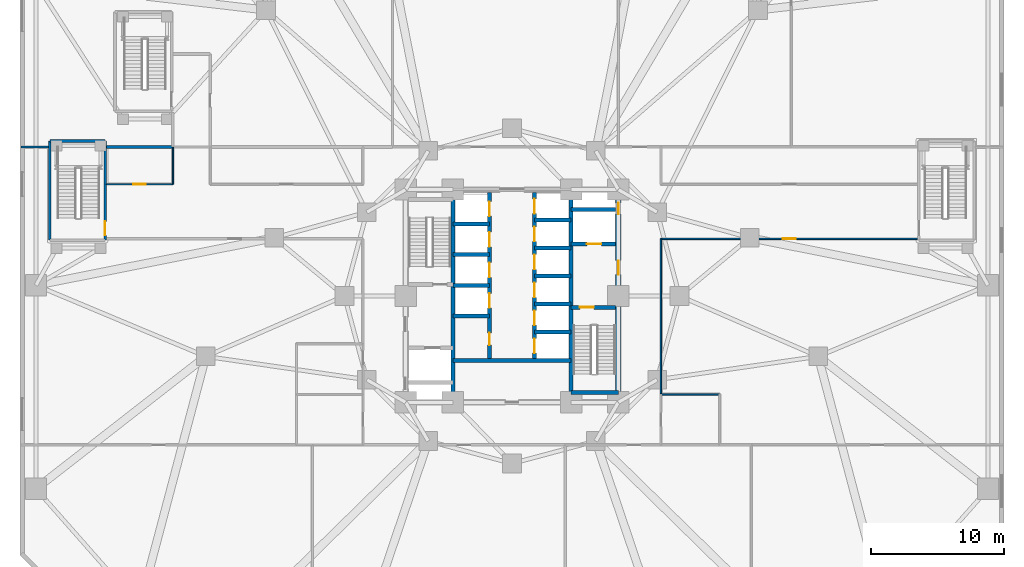
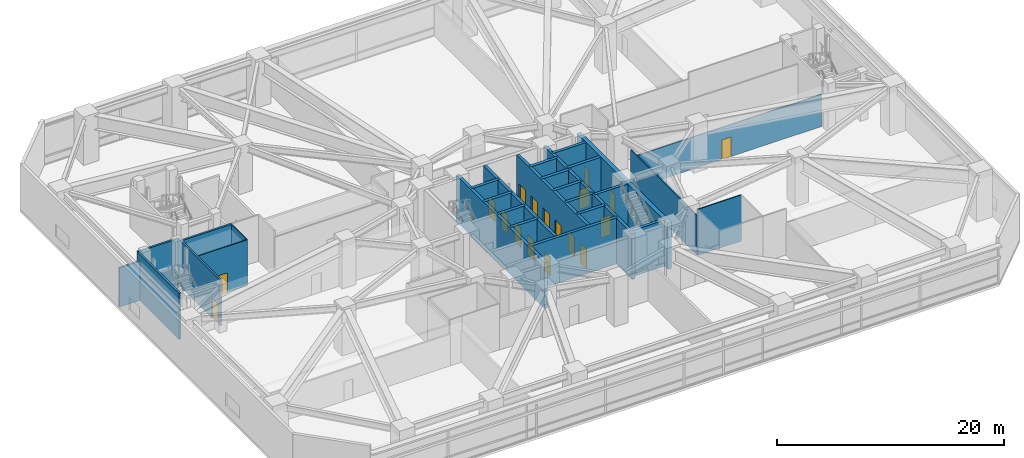
# One storey, part 16 of 28: 29 walls, 18 doors, 18 openings.
"""IFC4 building model written with IfcOpenShell, lengths in metres."""

from ifc_helpers import new_model, si_unit, direction, frame, frame_2d, origin, place, context, subcontext, project, spatial, rectangle, extrude, material, layer, layer_set, type_object, element, fill, save


model = new_model("IFC4")

# Units and contexts
model_context = context("Model", 3, precision=1e-05, world=origin(), true_north=direction((0.0, 1.0)))
body_context = subcontext(model_context, "Body", "Model", "MODEL_VIEW")
ifc_project = project(units=[si_unit("LENGTHUNIT", "METRE"), si_unit("AREAUNIT", "SQUARE_METRE"), si_unit("VOLUMEUNIT", "CUBIC_METRE"), si_unit("PLANEANGLEUNIT", "RADIAN"), si_unit("MASSUNIT", "GRAM", prefix="KILO")], contexts=[model_context])

# Site, building, storey
site_placement = place(None, origin())
site = spatial("IfcSite", under=ifc_project, at=site_placement, CompositionType="ELEMENT")
building_placement = place(site_placement, origin())
building = spatial("IfcBuilding", under=site, at=building_placement, Name="Terralouvre Media Tower", CompositionType="ELEMENT")
storey_placement = place(building_placement, frame((0.0, 0.0, 10.39990234375)))
storey = spatial("IfcBuildingStorey", under=building, at=storey_placement, Name="L02", CompositionType="ELEMENT", Elevation=10.39990234375)

# Walls
ifc_material_1 = material(Name="Concrete C50/60", Category="concrete")
ifc_layer_1 = layer(ifc_material_1, 0.300048828125, Name="Core Internal Shaft Wall CW-300")
ifc_layer_set_1 = layer_set([ifc_layer_1], Name="Concrete C50/60")
wall_type_1 = type_object("IfcWallType", Name="Core Internal Shaft Wall CW-300", PredefinedType="SHEAR", material=ifc_layer_set_1)
for number, where, z_axis, x_axis, name in (
    (1, (-4.449951171875, -7.7900390625, 0.0), (0.0, 0.0, 1.0), (0.0, 1.0, 0.0), "L02 Core Shaft Wall SPW"),
    (2, (4.449951171875, -7.7900390625, 0.0), (0.0, 0.0, 1.0), (0.0, 1.0, 0.0), "L02 Core Shaft Wall SPE"),
):
    element("IfcWall", number, at=place(storey_placement, frame(where, z_axis=z_axis, x_axis=x_axis)), inside=storey, type_object=wall_type_1, Name=name, PredefinedType="SHEAR", context=body_context, shape_type="SweptSolid", body=[
        extrude(rectangle(XDim=15.580078125, YDim=0.300048828125, at=frame_2d((7.7900390625, 0.0))), origin(), (0.0, 0.0, 1.0), 4.9501953125),
    ])

# Wall, opening, door
wall_1_placement = place(storey_placement, frame((4.449951171875, -0.85009765625, 0.0), z_axis=(0.0, 0.0, 1.0), x_axis=(1.0, 0.0, 0.0)))
wall_1 = element("IfcWall", 3, at=wall_1_placement, inside=storey, type_object=wall_type_1, Name="L02 Core Shaft Wall ST2D", PredefinedType="SHEAR", context=body_context, shape_type="SweptSolid", body=[
    extrude(rectangle(XDim=3.340087890625, YDim=0.300048828125, at=frame_2d((1.669921875, 0.0))), origin(), (0.0, 0.0, 1.0), 4.9501953125),
])
opening_1_placement = place(wall_1_placement, frame((0.64990234375, 0.0, 0.0)))
opening_1 = element("IfcOpeningElement", 4, at=opening_1_placement, cuts=wall_1, Name="Opening FD-01-105X215", PredefinedType="OPENING", context=body_context, shape_type="SweptSolid", body=[
    extrude(rectangle(XDim=1.050048828125, YDim=2.14990234375, at=frame_2d((0.52490234375, 1.074951171875))), frame((0.0, 0.159912109375, 0.0), z_axis=(0.0, -1.0, 0.0), x_axis=(1.0, 0.0, 0.0)), (0.0, 0.0, 1.0), 0.320068359375),
])
ifc_material_2 = material(Name="Galvanised steel fire-resisting leaf", Category="steel")
door_type_1 = type_object("IfcDoorType", Name="Stair and Firefighting Lobby Fire Door FD-01 (1050x2150)", OperationType="NOTDEFINED", PredefinedType="DOOR", material=ifc_material_2)
door_1_placement = place(opening_1_placement, origin())
door_1 = element("IfcDoor", 5, at=door_1_placement, inside=storey, type_object=door_type_1, Name="L02 ST-02 Exit Stair Door", OperationType="SINGLE_SWING_RIGHT", OverallHeight=2.14990234375, OverallWidth=1.050048828125, PredefinedType="DOOR", context=body_context, shape_type="SweptSolid", body=[
    extrude(rectangle(XDim=1.050048828125, YDim=2.14990234375, at=frame_2d((0.52490234375, 1.074951171875))), frame((0.0, 0.02490234375, 0.0), z_axis=(0.0, -1.0, 0.0), x_axis=(1.0, 0.0, 0.0)), (0.0, 0.0, 1.0), 0.050048828125),
])
fill(opening_1, door_1)

# Wall
wall_2_placement = place(storey_placement, frame((4.449951171875, -7.260009765625, 0.0), z_axis=(0.0, 0.0, 1.0), x_axis=(1.0, 0.0, 0.0)))
element("IfcWall", 6, at=wall_2_placement, inside=storey, type_object=wall_type_1, Name="L02 Core Shaft Wall ST2F", PredefinedType="SHEAR", context=body_context, shape_type="SweptSolid", body=[
    extrude(rectangle(XDim=3.550048828125, YDim=0.300048828125, at=frame_2d((1.77490234375, 0.0))), origin(), (0.0, 0.0, 1.0), 4.9501953125),
])

# Wall, opening, door
wall_3_placement = place(storey_placement, frame((4.449951171875, 3.89990234375, 0.0), z_axis=(0.0, 0.0, 1.0), x_axis=(1.0, 0.0, 0.0)))
wall_3 = element("IfcWall", 7, at=wall_3_placement, inside=storey, type_object=wall_type_1, Name="L02 Core Shaft Wall FF2S", PredefinedType="SHEAR", context=body_context, shape_type="SweptSolid", body=[
    extrude(rectangle(XDim=3.340087890625, YDim=0.300048828125, at=frame_2d((1.669921875, 0.0))), origin(), (0.0, 0.0, 1.0), 4.9501953125),
])
opening_2_placement = place(wall_3_placement, frame((1.179931640625, 0.0, 0.0)))
opening_2 = element("IfcOpeningElement", 8, at=opening_2_placement, cuts=wall_3, Name="Opening LD-FF", PredefinedType="OPENING", context=body_context, shape_type="SweptSolid", body=[
    extrude(rectangle(XDim=1.10009765625, YDim=2.10009765625, at=frame_2d((0.550048828125, 1.050048828125))), frame((0.0, 0.159912109375, 0.0), z_axis=(0.0, -1.0, 0.0), x_axis=(1.0, 0.0, 0.0)), (0.0, 0.0, 1.0), 0.320068359375),
])
ifc_material_3 = material(Name="Stainless steel 316 handrail and balustrade", Category="steel")
door_type_2 = type_object("IfcDoorType", Name="Firefighting Lift Sliding Landing Door LD-FF", OperationType="SLIDING_TO_LEFT", PredefinedType="DOOR", material=ifc_material_3)
door_2_placement = place(opening_2_placement, origin())
door_2 = element("IfcDoor", 9, at=door_2_placement, inside=storey, type_object=door_type_2, Name="L02 Firefighting Lift FFL-02 Landing Door", OperationType="SLIDING_TO_LEFT", OverallHeight=2.10009765625, OverallWidth=1.10009765625, PredefinedType="DOOR", context=body_context, shape_type="SweptSolid", body=[
    extrude(rectangle(XDim=1.10009765625, YDim=2.10009765625, at=frame_2d((0.550048828125, 1.050048828125))), frame((0.0, 0.02490234375, 0.0), z_axis=(0.0, -1.0, 0.0), x_axis=(1.0, 0.0, 0.0)), (0.0, 0.0, 1.0), 0.050048828125),
])
fill(opening_2, door_2)

# Walls
wall_4_placement = place(storey_placement, frame((4.449951171875, 6.5, 0.0), z_axis=(0.0, 0.0, 1.0), x_axis=(1.0, 0.0, 0.0)))
element("IfcWall", 10, at=wall_4_placement, inside=storey, type_object=wall_type_1, Name="L02 Core Shaft Wall FF2N", PredefinedType="SHEAR", context=body_context, shape_type="SweptSolid", body=[
    extrude(rectangle(XDim=3.340087890625, YDim=0.300048828125, at=frame_2d((1.669921875, 0.0))), origin(), (0.0, 0.0, 1.0), 4.9501953125),
])
wall_5_placement = place(storey_placement, frame((-4.449951171875, -4.85009765625, 0.0), z_axis=(0.0, 0.0, 1.0), x_axis=(1.0, 0.0, 0.0)))
element("IfcWall", 11, at=wall_5_placement, inside=storey, type_object=wall_type_1, Name="L02 Core Shaft Wall CSBN", PredefinedType="SHEAR", context=body_context, shape_type="SweptSolid", body=[
    extrude(rectangle(XDim=8.89990234375, YDim=0.300048828125, at=frame_2d((4.449951171875, 0.0))), origin(), (0.0, 0.0, 1.0), 4.9501953125),
])

# Wall, openings, doors
wall_6_placement = place(storey_placement, frame((-1.679931640625, -4.85009765625, 0.0), z_axis=(0.0, 0.0, 1.0), x_axis=(0.0, 1.0, 0.0)))
wall_6 = element("IfcWall", 12, at=wall_6_placement, inside=storey, type_object=wall_type_1, Name="L02 Core Shaft Wall LBW", PredefinedType="SHEAR", context=body_context, shape_type="SweptSolid", body=[
    extrude(rectangle(XDim=12.64013671875, YDim=0.300048828125, at=frame_2d((6.320068359375, 0.0))), origin(), (0.0, 0.0, 1.0), 4.9501953125),
])
opening_3_placement = place(wall_6_placement, frame((3.949951171875, 0.0, 0.0)))
opening_3 = element("IfcOpeningElement", 13, at=opening_3_placement, cuts=wall_6, Name="Opening LD-PL", PredefinedType="OPENING", context=body_context, shape_type="SweptSolid", body=[
    extrude(rectangle(XDim=1.10009765625, YDim=2.10009765625, at=frame_2d((0.550048828125, 1.050048828125))), frame((0.0, 0.159912109375, 0.0), z_axis=(0.0, -1.0, 0.0), x_axis=(1.0, 0.0, 0.0)), (0.0, 0.0, 1.0), 0.320068359375),
])
opening_4_placement = place(wall_6_placement, frame((6.25, 0.0, 0.0)))
opening_4 = element("IfcOpeningElement", 14, at=opening_4_placement, cuts=wall_6, Name="Opening LD-PL", PredefinedType="OPENING", context=body_context, shape_type="SweptSolid", body=[
    extrude(rectangle(XDim=1.10009765625, YDim=2.10009765625, at=frame_2d((0.550048828125, 1.050048828125))), frame((0.0, 0.159912109375, 0.0), z_axis=(0.0, -1.0, 0.0), x_axis=(1.0, 0.0, 0.0)), (0.0, 0.0, 1.0), 0.320068359375),
])
opening_5_placement = place(wall_6_placement, frame((8.550048828125, 0.0, 0.0)))
opening_5 = element("IfcOpeningElement", 15, at=opening_5_placement, cuts=wall_6, Name="Opening LD-PL", PredefinedType="OPENING", context=body_context, shape_type="SweptSolid", body=[
    extrude(rectangle(XDim=1.10009765625, YDim=2.10009765625, at=frame_2d((0.550048828125, 1.050048828125))), frame((0.0, 0.159912109375, 0.0), z_axis=(0.0, -1.0, 0.0), x_axis=(1.0, 0.0, 0.0)), (0.0, 0.0, 1.0), 0.320068359375),
])
opening_6_placement = place(wall_6_placement, frame((10.85009765625, 0.0, 0.0)))
opening_6 = element("IfcOpeningElement", 16, at=opening_6_placement, cuts=wall_6, Name="Opening LD-PL", PredefinedType="OPENING", context=body_context, shape_type="SweptSolid", body=[
    extrude(rectangle(XDim=1.10009765625, YDim=2.10009765625, at=frame_2d((0.550048828125, 1.050048828125))), frame((0.0, 0.159912109375, 0.0), z_axis=(0.0, -1.0, 0.0), x_axis=(1.0, 0.0, 0.0)), (0.0, 0.0, 1.0), 0.320068359375),
])
opening_7_placement = place(wall_6_placement, frame((1.14990234375, 0.0, 0.0)))
opening_7 = element("IfcOpeningElement", 17, at=opening_7_placement, cuts=wall_6, Name="Opening FD-05-92X210", PredefinedType="OPENING", context=body_context, shape_type="SweptSolid", body=[
    extrude(rectangle(XDim=0.919921875, YDim=2.10009765625, at=frame_2d((0.4599609375, 1.050048828125))), frame((0.0, 0.159912109375, 0.0), z_axis=(0.0, -1.0, 0.0), x_axis=(1.0, 0.0, 0.0)), (0.0, 0.0, 1.0), 0.320068359375),
])
ifc_material_4 = material(Name="Galvanised steel fire-resisting leaf", Category="steel")
door_type_3 = type_object("IfcDoorType", Name="Core Accessible Closet Fire Door FD-05 (920x2100)", OperationType="NOTDEFINED", PredefinedType="DOOR", material=ifc_material_4)
door_3_placement = place(opening_7_placement, origin())
door_3 = element("IfcDoor", 18, at=door_3_placement, inside=storey, type_object=door_type_3, Name="L02 Core Cleaners Closet Door", OperationType="SINGLE_SWING_LEFT", OverallHeight=2.10009765625, OverallWidth=0.919921875, PredefinedType="DOOR", context=body_context, shape_type="SweptSolid", body=[
    extrude(rectangle(XDim=0.919921875, YDim=2.10009765625, at=frame_2d((0.4599609375, 1.050048828125))), frame((0.0, 0.02490234375, 0.0), z_axis=(0.0, -1.0, 0.0), x_axis=(1.0, 0.0, 0.0)), (0.0, 0.0, 1.0), 0.050048828125),
])
fill(opening_7, door_3)
ifc_material_5 = material(Name="Stainless steel 316 handrail and balustrade", Category="steel")
door_type_4 = type_object("IfcDoorType", Name="Passenger Lift Sliding Landing Door LD-PL", OperationType="SLIDING_TO_LEFT", PredefinedType="DOOR", material=ifc_material_5)
door_4_placement = place(opening_3_placement, origin())
door_4 = element("IfcDoor", 19, at=door_4_placement, inside=storey, type_object=door_type_4, Name="L02 Low-Rise Lift PL-L1 Landing Door", OperationType="SLIDING_TO_LEFT", OverallHeight=2.10009765625, OverallWidth=1.10009765625, PredefinedType="DOOR", context=body_context, shape_type="SweptSolid", body=[
    extrude(rectangle(XDim=1.10009765625, YDim=2.10009765625, at=frame_2d((0.550048828125, 1.050048828125))), frame((0.0, 0.02490234375, 0.0), z_axis=(0.0, -1.0, 0.0), x_axis=(1.0, 0.0, 0.0)), (0.0, 0.0, 1.0), 0.050048828125),
])
fill(opening_3, door_4)
door_5_placement = place(opening_4_placement, origin())
door_5 = element("IfcDoor", 20, at=door_5_placement, inside=storey, type_object=door_type_4, Name="L02 Low-Rise Lift PL-L2 Landing Door", OperationType="SLIDING_TO_LEFT", OverallHeight=2.10009765625, OverallWidth=1.10009765625, PredefinedType="DOOR", context=body_context, shape_type="SweptSolid", body=[
    extrude(rectangle(XDim=1.10009765625, YDim=2.10009765625, at=frame_2d((0.550048828125, 1.050048828125))), frame((0.0, 0.02490234375, 0.0), z_axis=(0.0, -1.0, 0.0), x_axis=(1.0, 0.0, 0.0)), (0.0, 0.0, 1.0), 0.050048828125),
])
fill(opening_4, door_5)
door_6_placement = place(opening_5_placement, origin())
door_6 = element("IfcDoor", 21, at=door_6_placement, inside=storey, type_object=door_type_4, Name="L02 Low-Rise Lift PL-L3 Landing Door", OperationType="SLIDING_TO_LEFT", OverallHeight=2.10009765625, OverallWidth=1.10009765625, PredefinedType="DOOR", context=body_context, shape_type="SweptSolid", body=[
    extrude(rectangle(XDim=1.10009765625, YDim=2.10009765625, at=frame_2d((0.550048828125, 1.050048828125))), frame((0.0, 0.02490234375, 0.0), z_axis=(0.0, -1.0, 0.0), x_axis=(1.0, 0.0, 0.0)), (0.0, 0.0, 1.0), 0.050048828125),
])
fill(opening_5, door_6)
door_7_placement = place(opening_6_placement, origin())
door_7 = element("IfcDoor", 22, at=door_7_placement, inside=storey, type_object=door_type_4, Name="L02 Low-Rise Lift PL-L4 Landing Door", OperationType="SLIDING_TO_LEFT", OverallHeight=2.10009765625, OverallWidth=1.10009765625, PredefinedType="DOOR", context=body_context, shape_type="SweptSolid", body=[
    extrude(rectangle(XDim=1.10009765625, YDim=2.10009765625, at=frame_2d((0.550048828125, 1.050048828125))), frame((0.0, 0.02490234375, 0.0), z_axis=(0.0, -1.0, 0.0), x_axis=(1.0, 0.0, 0.0)), (0.0, 0.0, 1.0), 0.050048828125),
])
fill(opening_6, door_7)

wall_7_placement = place(storey_placement, frame((1.679931640625, -4.85009765625, 0.0), z_axis=(0.0, 0.0, 1.0), x_axis=(0.0, 1.0, 0.0)))
wall_7 = element("IfcWall", 23, at=wall_7_placement, inside=storey, type_object=wall_type_1, Name="L02 Core Shaft Wall LBE", PredefinedType="SHEAR", context=body_context, shape_type="SweptSolid", body=[
    extrude(rectangle(XDim=12.64013671875, YDim=0.300048828125, at=frame_2d((6.320068359375, 0.0))), origin(), (0.0, 0.0, 1.0), 4.9501953125),
])
opening_8_placement = place(wall_7_placement, frame((0.550048828125, 0.0, 0.0)))
opening_8 = element("IfcOpeningElement", 24, at=opening_8_placement, cuts=wall_7, Name="Opening LD-PL", PredefinedType="OPENING", context=body_context, shape_type="SweptSolid", body=[
    extrude(rectangle(XDim=1.10009765625, YDim=2.10009765625, at=frame_2d((0.550048828125, 1.050048828125))), frame((0.0, 0.159912109375, 0.0), z_axis=(0.0, -1.0, 0.0), x_axis=(1.0, 0.0, 0.0)), (0.0, 0.0, 1.0), 0.320068359375),
])
opening_9_placement = place(wall_7_placement, frame((2.64990234375, 0.0, 0.0)))
opening_9 = element("IfcOpeningElement", 25, at=opening_9_placement, cuts=wall_7, Name="Opening LD-PL", PredefinedType="OPENING", context=body_context, shape_type="SweptSolid", body=[
    extrude(rectangle(XDim=1.10009765625, YDim=2.10009765625, at=frame_2d((0.550048828125, 1.050048828125))), frame((0.0, 0.159912109375, 0.0), z_axis=(0.0, -1.0, 0.0), x_axis=(1.0, 0.0, 0.0)), (0.0, 0.0, 1.0), 0.320068359375),
])
opening_10_placement = place(wall_7_placement, frame((4.75, 0.0, 0.0)))
opening_10 = element("IfcOpeningElement", 26, at=opening_10_placement, cuts=wall_7, Name="Opening LD-PL", PredefinedType="OPENING", context=body_context, shape_type="SweptSolid", body=[
    extrude(rectangle(XDim=1.10009765625, YDim=2.10009765625, at=frame_2d((0.550048828125, 1.050048828125))), frame((0.0, 0.159912109375, 0.0), z_axis=(0.0, -1.0, 0.0), x_axis=(1.0, 0.0, 0.0)), (0.0, 0.0, 1.0), 0.320068359375),
])
opening_11_placement = place(wall_7_placement, frame((6.85009765625, 0.0, 0.0)))
opening_11 = element("IfcOpeningElement", 27, at=opening_11_placement, cuts=wall_7, Name="Opening LD-PL", PredefinedType="OPENING", context=body_context, shape_type="SweptSolid", body=[
    extrude(rectangle(XDim=1.10009765625, YDim=2.10009765625, at=frame_2d((0.550048828125, 1.050048828125))), frame((0.0, 0.159912109375, 0.0), z_axis=(0.0, -1.0, 0.0), x_axis=(1.0, 0.0, 0.0)), (0.0, 0.0, 1.0), 0.320068359375),
])
opening_12_placement = place(wall_7_placement, frame((8.949951171875, 0.0, 0.0)))
opening_12 = element("IfcOpeningElement", 28, at=opening_12_placement, cuts=wall_7, Name="Opening LD-PL", PredefinedType="OPENING", context=body_context, shape_type="SweptSolid", body=[
    extrude(rectangle(XDim=1.10009765625, YDim=2.10009765625, at=frame_2d((0.550048828125, 1.050048828125))), frame((0.0, 0.159912109375, 0.0), z_axis=(0.0, -1.0, 0.0), x_axis=(1.0, 0.0, 0.0)), (0.0, 0.0, 1.0), 0.320068359375),
])
opening_13_placement = place(wall_7_placement, frame((11.050048828125, 0.0, 0.0)))
opening_13 = element("IfcOpeningElement", 29, at=opening_13_placement, cuts=wall_7, Name="Opening LD-PL", PredefinedType="OPENING", context=body_context, shape_type="SweptSolid", body=[
    extrude(rectangle(XDim=1.10009765625, YDim=2.10009765625, at=frame_2d((0.550048828125, 1.050048828125))), frame((0.0, 0.159912109375, 0.0), z_axis=(0.0, -1.0, 0.0), x_axis=(1.0, 0.0, 0.0)), (0.0, 0.0, 1.0), 0.320068359375),
])
door_8_placement = place(opening_8_placement, origin())
door_8 = element("IfcDoor", 30, at=door_8_placement, inside=storey, type_object=door_type_4, Name="L02 High-Rise Lift PL-H1 Landing Door", OperationType="SLIDING_TO_LEFT", OverallHeight=2.10009765625, OverallWidth=1.10009765625, PredefinedType="DOOR", context=body_context, shape_type="SweptSolid", body=[
    extrude(rectangle(XDim=1.10009765625, YDim=2.10009765625, at=frame_2d((0.550048828125, 1.050048828125))), frame((0.0, 0.02490234375, 0.0), z_axis=(0.0, -1.0, 0.0), x_axis=(1.0, 0.0, 0.0)), (0.0, 0.0, 1.0), 0.050048828125),
])
fill(opening_8, door_8)
door_9_placement = place(opening_9_placement, origin())
door_9 = element("IfcDoor", 31, at=door_9_placement, inside=storey, type_object=door_type_4, Name="L02 High-Rise Lift PL-H2 Landing Door", OperationType="SLIDING_TO_LEFT", OverallHeight=2.10009765625, OverallWidth=1.10009765625, PredefinedType="DOOR", context=body_context, shape_type="SweptSolid", body=[
    extrude(rectangle(XDim=1.10009765625, YDim=2.10009765625, at=frame_2d((0.550048828125, 1.050048828125))), frame((0.0, 0.02490234375, 0.0), z_axis=(0.0, -1.0, 0.0), x_axis=(1.0, 0.0, 0.0)), (0.0, 0.0, 1.0), 0.050048828125),
])
fill(opening_9, door_9)
door_10_placement = place(opening_10_placement, origin())
door_10 = element("IfcDoor", 32, at=door_10_placement, inside=storey, type_object=door_type_4, Name="L02 High-Rise Lift PL-H3 Landing Door", OperationType="SLIDING_TO_LEFT", OverallHeight=2.10009765625, OverallWidth=1.10009765625, PredefinedType="DOOR", context=body_context, shape_type="SweptSolid", body=[
    extrude(rectangle(XDim=1.10009765625, YDim=2.10009765625, at=frame_2d((0.550048828125, 1.050048828125))), frame((0.0, 0.02490234375, 0.0), z_axis=(0.0, -1.0, 0.0), x_axis=(1.0, 0.0, 0.0)), (0.0, 0.0, 1.0), 0.050048828125),
])
fill(opening_10, door_10)
door_11_placement = place(opening_11_placement, origin())
door_11 = element("IfcDoor", 33, at=door_11_placement, inside=storey, type_object=door_type_4, Name="L02 Mid-Rise Lift PL-M1 Landing Door", OperationType="SLIDING_TO_LEFT", OverallHeight=2.10009765625, OverallWidth=1.10009765625, PredefinedType="DOOR", context=body_context, shape_type="SweptSolid", body=[
    extrude(rectangle(XDim=1.10009765625, YDim=2.10009765625, at=frame_2d((0.550048828125, 1.050048828125))), frame((0.0, 0.02490234375, 0.0), z_axis=(0.0, -1.0, 0.0), x_axis=(1.0, 0.0, 0.0)), (0.0, 0.0, 1.0), 0.050048828125),
])
fill(opening_11, door_11)
door_12_placement = place(opening_12_placement, origin())
door_12 = element("IfcDoor", 34, at=door_12_placement, inside=storey, type_object=door_type_4, Name="L02 Mid-Rise Lift PL-M2 Landing Door", OperationType="SLIDING_TO_LEFT", OverallHeight=2.10009765625, OverallWidth=1.10009765625, PredefinedType="DOOR", context=body_context, shape_type="SweptSolid", body=[
    extrude(rectangle(XDim=1.10009765625, YDim=2.10009765625, at=frame_2d((0.550048828125, 1.050048828125))), frame((0.0, 0.02490234375, 0.0), z_axis=(0.0, -1.0, 0.0), x_axis=(1.0, 0.0, 0.0)), (0.0, 0.0, 1.0), 0.050048828125),
])
fill(opening_12, door_12)
door_13_placement = place(opening_13_placement, origin())
door_13 = element("IfcDoor", 35, at=door_13_placement, inside=storey, type_object=door_type_4, Name="L02 Mid-Rise Lift PL-M3 Landing Door", OperationType="SLIDING_TO_LEFT", OverallHeight=2.10009765625, OverallWidth=1.10009765625, PredefinedType="DOOR", context=body_context, shape_type="SweptSolid", body=[
    extrude(rectangle(XDim=1.10009765625, YDim=2.10009765625, at=frame_2d((0.550048828125, 1.050048828125))), frame((0.0, 0.02490234375, 0.0), z_axis=(0.0, -1.0, 0.0), x_axis=(1.0, 0.0, 0.0)), (0.0, 0.0, 1.0), 0.050048828125),
])
fill(opening_13, door_13)

# Walls
for number, where, z_axis, x_axis, name in (
    (36, (-4.449951171875, -1.5, 0.0), (0.0, 0.0, 1.0), (1.0, 0.0, 0.0), "L02 Core Shaft Wall PLLD0"),
    (37, (-4.449951171875, 0.800048828125, 0.0), (0.0, 0.0, 1.0), (1.0, 0.0, 0.0), "L02 Core Shaft Wall PLLD1"),
    (38, (-4.449951171875, 3.10009765625, 0.0), (0.0, 0.0, 1.0), (1.0, 0.0, 0.0), "L02 Core Shaft Wall PLLD2"),
    (39, (-4.449951171875, 5.39990234375, 0.0), (0.0, 0.0, 1.0), (1.0, 0.0, 0.0), "L02 Core Shaft Wall PLLD3"),
    (40, (1.679931640625, 1.5, 0.0), (0.0, 0.0, 1.0), (1.0, 0.0, 0.0), "L02 Core Shaft Wall PLMD0"),
    (41, (1.679931640625, 3.60009765625, 0.0), (0.0, 0.0, 1.0), (1.0, 0.0, 0.0), "L02 Core Shaft Wall PLMD1"),
    (42, (1.679931640625, 5.699951171875, 0.0), (0.0, 0.0, 1.0), (1.0, 0.0, 0.0), "L02 Core Shaft Wall PLMD2"),
    (43, (1.679931640625, -2.699951171875, 0.0), (0.0, 0.0, 1.0), (1.0, 0.0, 0.0), "L02 Core Shaft Wall PLHD1"),
    (44, (1.679931640625, -0.60009765625, 0.0), (0.0, 0.0, 1.0), (1.0, 0.0, 0.0), "L02 Core Shaft Wall PLHD2"),
):
    element("IfcWall", number, at=place(storey_placement, frame(where, z_axis=z_axis, x_axis=x_axis)), inside=storey, type_object=wall_type_1, Name=name, PredefinedType="SHEAR", context=body_context, shape_type="SweptSolid", body=[
        extrude(rectangle(XDim=2.77001953125, YDim=0.300048828125, at=frame_2d((1.385009765625, 0.0))), origin(), (0.0, 0.0, 1.0), 4.9501953125),
    ])

# Wall, openings, doors
ifc_material_6 = material(Name="Concrete C60/75", Category="concrete")
ifc_layer_2 = layer(ifc_material_6, 0.419921875, Name="Core Reinforced Concrete Shear Wall CW-420")
ifc_layer_set_2 = layer_set([ifc_layer_2], Name="Concrete C60/75")
wall_type_2 = type_object("IfcWallType", Name="Core Reinforced Concrete Shear Wall CW-420", PredefinedType="SHEAR", material=ifc_layer_set_2)
wall_8_placement = place(storey_placement, frame((8.0, -8.0, 0.0), z_axis=(0.0, 0.0, 1.0), x_axis=(0.0, 1.0, 0.0)))
wall_8 = element("IfcWall", 45, at=wall_8_placement, inside=storey, type_object=wall_type_2, Name="L02 E Core Shear Wall", PredefinedType="SHEAR", context=body_context, shape_type="SweptSolid", body=[
    extrude(rectangle(XDim=16.0, YDim=0.419921875, at=frame_2d((8.0, 0.0))), origin(), (0.0, 0.0, 1.0), 4.9501953125),
])
opening_14_placement = place(wall_8_placement, frame((9.60009765625, 0.0, 0.0)))
opening_14 = element("IfcOpeningElement", 46, at=opening_14_placement, cuts=wall_8, Name="Opening FD-01-105X215", PredefinedType="OPENING", context=body_context, shape_type="SweptSolid", body=[
    extrude(rectangle(XDim=1.050048828125, YDim=2.14990234375, at=frame_2d((0.52490234375, 1.074951171875))), frame((0.0, 0.219970703125, 0.0), z_axis=(0.0, -1.0, 0.0), x_axis=(1.0, 0.0, 0.0)), (0.0, 0.0, 1.0), 0.43994140625),
])
opening_15_placement = place(wall_8_placement, frame((14.148193359375, 0.0, 0.0)))
opening_15 = element("IfcOpeningElement", 47, at=opening_15_placement, cuts=wall_8, Name="Opening TD-R1", PredefinedType="OPENING", context=body_context, shape_type="SweptSolid", body=[
    extrude(rectangle(XDim=0.85009765625, YDim=2.02001953125, at=frame_2d((0.425048828125, 1.010009765625))), frame((0.0, 0.219970703125, 0.0), z_axis=(0.0, -1.0, 0.0), x_axis=(1.0, 0.0, 0.0)), (0.0, 0.0, 1.0), 0.43994140625),
])
ifc_material_7 = material(Name="Galvanised steel fire-resisting leaf", Category="steel")
door_type_5 = type_object("IfcDoorType", Name="Riser Inspection Access Trapdoor TD-R1", OperationType="NOTDEFINED", PredefinedType="TRAPDOOR", material=ifc_material_7)
door_14_placement = place(opening_15_placement, origin())
door_14 = element("IfcDoor", 48, at=door_14_placement, inside=storey, type_object=door_type_5, Name="L02 East Comms Riser Access Trapdoor", OperationType="SINGLE_SWING_RIGHT", OverallHeight=2.02001953125, OverallWidth=0.85009765625, PredefinedType="TRAPDOOR", context=body_context, shape_type="SweptSolid", body=[
    extrude(rectangle(XDim=0.85009765625, YDim=2.02001953125, at=frame_2d((0.425048828125, 1.010009765625))), frame((0.0, 0.02490234375, 0.0), z_axis=(0.0, -1.0, 0.0), x_axis=(1.0, 0.0, 0.0)), (0.0, 0.0, 1.0), 0.050048828125),
])
fill(opening_15, door_14)
door_15_placement = place(opening_14_placement, origin())
door_15 = element("IfcDoor", 49, at=door_15_placement, inside=storey, type_object=door_type_1, Name="L02 East Firefighting Lobby Entry Door", OperationType="SINGLE_SWING_LEFT", OverallHeight=2.14990234375, OverallWidth=1.050048828125, PredefinedType="DOOR", context=body_context, shape_type="SweptSolid", body=[
    extrude(rectangle(XDim=1.050048828125, YDim=2.14990234375, at=frame_2d((0.52490234375, 1.074951171875))), frame((0.0, 0.02490234375, 0.0), z_axis=(0.0, -1.0, 0.0), x_axis=(1.0, 0.0, 0.0)), (0.0, 0.0, 1.0), 0.050048828125),
])
fill(opening_14, door_15)

# Wall
ifc_material_8 = material(Name="Low-iron laminated double glazing with solar-control coating", Category="glass")
ifc_layer_3 = layer(ifc_material_8, 0.10009765625, Name="Demountable Glazed Office Partition PT-GL100")
ifc_layer_set_3 = layer_set([ifc_layer_3], Name="Low-iron laminated double glazing with solar-control coating")
wall_type_3 = type_object("IfcWallType", Name="Demountable Glazed Office Partition PT-GL100", PredefinedType="MOVABLE", material=ifc_layer_set_3)
wall_9_placement = place(storey_placement, frame((-25.5, 11.199951171875, 0.0), z_axis=(0.0, 0.0, 1.0), x_axis=(0.0, -1.0, 0.0)))
element("IfcWall", 50, at=wall_9_placement, inside=storey, type_object=wall_type_3, Name="L02 Interior Partition 019", PredefinedType="MOVABLE", context=body_context, shape_type="SweptSolid", body=[
    extrude(rectangle(XDim=2.800048828125, YDim=0.10009765625, at=frame_2d((1.39990234375, 0.0))), origin(), (0.0, 0.0, 1.0), 4.9501953125),
])

# Wall, opening, door
wall_10_placement = place(storey_placement, frame((-25.5, 8.39990234375, 0.0), z_axis=(0.0, 0.0, 1.0), x_axis=(-1.0, 0.0, 0.0)))
wall_10 = element("IfcWall", 51, at=wall_10_placement, inside=storey, type_object=wall_type_3, Name="L02 Interior Partition 020", PredefinedType="MOVABLE", context=body_context, shape_type="SweptSolid", body=[
    extrude(rectangle(XDim=5.0, YDim=0.10009765625, at=frame_2d((2.5, 0.0))), origin(), (0.0, 0.0, 1.0), 4.9501953125),
])
opening_16_placement = place(wall_10_placement, frame((2.02490234375, 0.0, 0.0)))
opening_16 = element("IfcOpeningElement", 52, at=opening_16_placement, cuts=wall_10, Name="Opening ID-02-95X210", PredefinedType="OPENING", context=body_context, shape_type="SweptSolid", body=[
    extrude(rectangle(XDim=0.949951171875, YDim=2.10009765625, at=frame_2d((0.47509765625, 1.050048828125))), frame((0.0, 0.06005859375, 0.0), z_axis=(0.0, -1.0, 0.0), x_axis=(1.0, 0.0, 0.0)), (0.0, 0.0, 1.0), 0.1201171875),
])
ifc_material_9 = material(Name="Engineered hardwood acoustic timber leaf", Category="wood")
door_type_6 = type_object("IfcDoorType", Name="Office and Meeting Room Door ID-02 (950x2100)", OperationType="NOTDEFINED", PredefinedType="DOOR", material=ifc_material_9)
door_16_placement = place(opening_16_placement, origin())
door_16 = element("IfcDoor", 53, at=door_16_placement, inside=storey, type_object=door_type_6, Name="L02 L02 Technical Schedule Conference Room 13 Door", OperationType="SINGLE_SWING_RIGHT", OverallHeight=2.10009765625, OverallWidth=0.949951171875, PredefinedType="DOOR", context=body_context, shape_type="SweptSolid", body=[
    extrude(rectangle(XDim=0.949951171875, YDim=2.10009765625, at=frame_2d((0.47509765625, 1.050048828125))), frame((0.0, 0.02490234375, 0.0), z_axis=(0.0, -1.0, 0.0), x_axis=(1.0, 0.0, 0.0)), (0.0, 0.0, 1.0), 0.050048828125),
])
fill(opening_16, door_16)

ifc_material_10 = material(Name="Fire-rated gypsum board drywall partition")
ifc_layer_4 = layer(ifc_material_10, 0.199951171875, Name="Fire-Rated Shaft and Lobby Partition FW-200")
ifc_layer_set_4 = layer_set([ifc_layer_4], Name="Fire-rated gypsum board drywall partition")
wall_type_4 = type_object("IfcWallType", Name="Fire-Rated Shaft and Lobby Partition FW-200", PredefinedType="SOLIDWALL", material=ifc_layer_set_4)
wall_11_placement = place(storey_placement, frame((-30.60009765625, 4.199951171875, 0.0), z_axis=(0.0, 0.0, 1.0), x_axis=(0.0, 1.0, 0.0)))
wall_11 = element("IfcWall", 54, at=wall_11_placement, inside=storey, type_object=wall_type_4, Name="L02 ST03 Stair Shaft Wall E", PredefinedType="SOLIDWALL", context=body_context, shape_type="SweptSolid", body=[
    extrude(rectangle(XDim=7.449951171875, YDim=0.199951171875, at=frame_2d((3.72509765625, 0.0))), origin(), (0.0, 0.0, 1.0), 4.9501953125),
])
opening_17_placement = place(wall_11_placement, frame((0.360107421875, 0.0, 0.0)))
opening_17 = element("IfcOpeningElement", 55, at=opening_17_placement, cuts=wall_11, Name="Opening FD-01-105X215", PredefinedType="OPENING", context=body_context, shape_type="SweptSolid", body=[
    extrude(rectangle(XDim=1.050048828125, YDim=2.14990234375, at=frame_2d((0.52490234375, 1.074951171875))), frame((0.0, 0.10986328125, 0.0), z_axis=(0.0, -1.0, 0.0), x_axis=(1.0, 0.0, 0.0)), (0.0, 0.0, 1.0), 0.219970703125),
])
door_17_placement = place(opening_17_placement, origin())
door_17 = element("IfcDoor", 56, at=door_17_placement, inside=storey, type_object=door_type_1, Name="L02 ST03 Pressurised Stair Door", OperationType="SINGLE_SWING_RIGHT", OverallHeight=2.14990234375, OverallWidth=1.050048828125, PredefinedType="DOOR", context=body_context, shape_type="SweptSolid", body=[
    extrude(rectangle(XDim=1.050048828125, YDim=2.14990234375, at=frame_2d((0.52490234375, 1.074951171875))), frame((0.0, 0.02490234375, 0.0), z_axis=(0.0, -1.0, 0.0), x_axis=(1.0, 0.0, 0.0)), (0.0, 0.0, 1.0), 0.050048828125),
])
fill(opening_17, door_17)

# Walls
wall_12_placement = place(storey_placement, frame((-30.60009765625, 11.64990234375, 0.0), z_axis=(0.0, 0.0, 1.0), x_axis=(-1.0, 0.0, 0.0)))
element("IfcWall", 57, at=wall_12_placement, inside=storey, type_object=wall_type_4, Name="L02 ST03 Stair Shaft Wall N", PredefinedType="SOLIDWALL", context=body_context, shape_type="SweptSolid", body=[
    extrude(rectangle(XDim=4.14990234375, YDim=0.199951171875, at=frame_2d((2.074951171875, 0.0))), origin(), (0.0, 0.0, 1.0), 4.9501953125),
])
wall_13_placement = place(storey_placement, frame((-34.75, 11.64990234375, 0.0), z_axis=(0.0, 0.0, 1.0), x_axis=(0.0, -1.0, 0.0)))
element("IfcWall", 58, at=wall_13_placement, inside=storey, type_object=wall_type_4, Name="L02 ST03 Stair Shaft Wall W", PredefinedType="SOLIDWALL", context=body_context, shape_type="SweptSolid", body=[
    extrude(rectangle(XDim=7.449951171875, YDim=0.199951171875, at=frame_2d((3.72509765625, 0.0))), origin(), (0.0, 0.0, 1.0), 4.9501953125),
])
wall_14_placement = place(storey_placement, frame((-30.5, 11.199951171875, 0.0), z_axis=(0.0, 0.0, 1.0), x_axis=(1.0, 0.0, 0.0)))
element("IfcWall", 59, at=wall_14_placement, inside=storey, type_object=wall_type_4, Name="L02 Interior Partition 047", PredefinedType="SOLIDWALL", context=body_context, shape_type="SweptSolid", body=[
    extrude(rectangle(XDim=5.0, YDim=0.199951171875, at=frame_2d((2.5, 0.0))), origin(), (0.0, 0.0, 1.0), 4.9501953125),
])
ifc_material_11 = material(Name="Fire-rated gypsum board drywall partition")
ifc_layer_5 = layer(ifc_material_11, 0.114990234375, Name="Restroom and Pantry Partition PT-115")
ifc_layer_set_5 = layer_set([ifc_layer_5], Name="Fire-rated gypsum board drywall partition")
wall_type_5 = type_object("IfcWallType", Name="Restroom and Pantry Partition PT-115", PredefinedType="PARTITIONING", material=ifc_layer_set_5)
wall_15_placement = place(storey_placement, frame((11.199951171875, -7.39990234375, 0.0), z_axis=(0.0, 0.0, 1.0), x_axis=(0.0, 1.0, 0.0)))
element("IfcWall", 60, at=wall_15_placement, inside=storey, type_object=wall_type_5, Name="L02 Interior Partition 009", PredefinedType="PARTITIONING", context=body_context, shape_type="SweptSolid", body=[
    extrude(rectangle(XDim=11.699951171875, YDim=0.114990234375, at=frame_2d((5.85009765625, 0.0))), origin(), (0.0, 0.0, 1.0), 4.235107421875),
])

# Wall, opening, door
wall_16_placement = place(storey_placement, frame((11.199951171875, 4.300048828125, 0.0), z_axis=(0.0, 0.0, 1.0), x_axis=(1.0, 0.0, 0.0)))
wall_16 = element("IfcWall", 61, at=wall_16_placement, inside=storey, type_object=wall_type_5, Name="L02 Interior Partition 010", PredefinedType="PARTITIONING", context=body_context, shape_type="SweptSolid", body=[
    extrude(rectangle(XDim=19.300048828125, YDim=0.114990234375, at=frame_2d((9.64990234375, 0.0))), origin(), (0.0, 0.0, 1.0), 3.43505859375),
])
opening_18_placement = place(wall_16_placement, frame((9.175048828125, 0.0, 0.0)))
opening_18 = element("IfcOpeningElement", 62, at=opening_18_placement, cuts=wall_16, Name="Opening SD-01-95X210", PredefinedType="OPENING", context=body_context, shape_type="SweptSolid", body=[
    extrude(rectangle(XDim=0.949951171875, YDim=2.10009765625, at=frame_2d((0.47509765625, 1.050048828125))), frame((0.0, 0.0673828125, 0.0), z_axis=(0.0, -1.0, 0.0), x_axis=(1.0, 0.0, 0.0)), (0.0, 0.0, 1.0), 0.135009765625),
])
ifc_material_12 = material(Name="Anodised extruded aluminium 6063-T6", Category="aluminium")
door_type_7 = type_object("IfcDoorType", Name="Pantry Pocket Sliding Door SD-01 (950x2100)", OperationType="SLIDING_TO_LEFT", PredefinedType="DOOR", material=ifc_material_12)
door_18_placement = place(opening_18_placement, origin())
door_18 = element("IfcDoor", 63, at=door_18_placement, inside=storey, type_object=door_type_7, Name="L02 L02 Engineers Bistro Kitchen 6 Door", OperationType="SLIDING_TO_LEFT", OverallHeight=2.10009765625, OverallWidth=0.949951171875, PredefinedType="DOOR", context=body_context, shape_type="SweptSolid", body=[
    extrude(rectangle(XDim=0.949951171875, YDim=2.10009765625, at=frame_2d((0.47509765625, 1.050048828125))), frame((0.0, 0.02490234375, 0.0), z_axis=(0.0, -1.0, 0.0), x_axis=(1.0, 0.0, 0.0)), (0.0, 0.0, 1.0), 0.050048828125),
])
fill(opening_18, door_18)

# Walls
wall_17_placement = place(storey_placement, frame((15.60009765625, -7.39990234375, 0.0), z_axis=(0.0, 0.0, 1.0), x_axis=(-1.0, 0.0, 0.0)))
element("IfcWall", 64, at=wall_17_placement, inside=storey, type_object=wall_type_5, Name="L02 Interior Partition 038", PredefinedType="PARTITIONING", context=body_context, shape_type="SweptSolid", body=[
    extrude(rectangle(XDim=4.400146484375, YDim=0.114990234375, at=frame_2d((2.2001953125, 0.0))), origin(), (0.0, 0.0, 1.0), 4.9501953125),
])
ifc_material_13 = material(Name="Fire-rated gypsum board drywall partition")
ifc_layer_6 = layer(ifc_material_13, 0.159912109375, Name="Studio Acoustic Rated Partition PT-160")
ifc_layer_set_6 = layer_set([ifc_layer_6], Name="Fire-rated gypsum board drywall partition")
wall_type_6 = type_object("IfcWallType", Name="Studio Acoustic Rated Partition PT-160", PredefinedType="PARTITIONING", material=ifc_layer_set_6)
wall_18_placement = place(storey_placement, frame((-34.85009765625, 11.199951171875, 0.0), z_axis=(0.0, 0.0, 1.0), x_axis=(-1.0, 0.0, 0.0)))
element("IfcWall", 65, at=wall_18_placement, inside=storey, type_object=wall_type_6, Name="L02 Interior Partition 028", PredefinedType="PARTITIONING", context=body_context, shape_type="SweptSolid", body=[
    extrude(rectangle(XDim=2.06982421875, YDim=0.159912109375, at=frame_2d((1.034912109375, 0.0))), origin(), (0.0, 0.0, 1.0), 4.235107421875),
])

save(model, "model.ifc")
